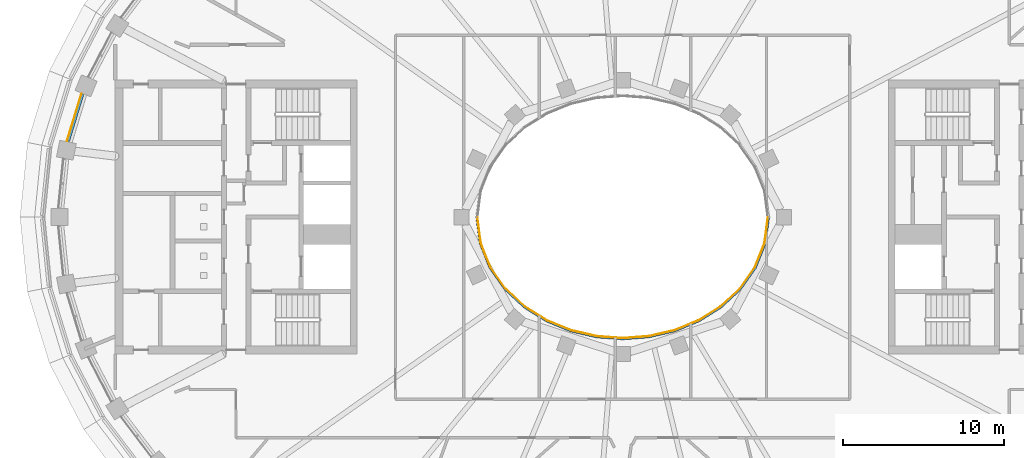
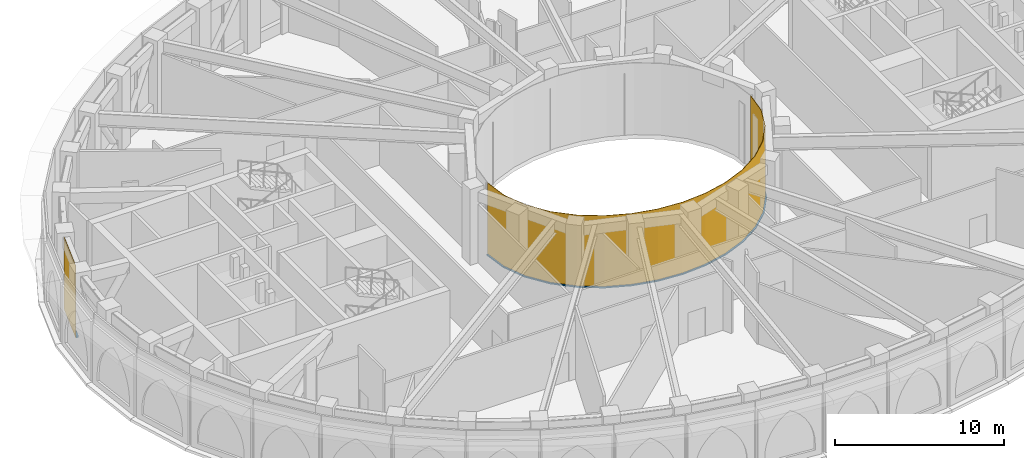
# One storey, part 13 of 23: 2 curtain walls, 2 members.
"""IFC4 building model written with IfcOpenShell, lengths in metres."""

from ifc_helpers import new_model, si_unit, direction, frame, origin, place, context, subcontext, project, spatial, polyline, outline, extrude, material, layer, layer_set, type_object, element, aggregate, save


model = new_model("IFC4")

# Units and contexts
model_context = context("Model", 3, precision=1e-05, world=origin(), true_north=direction((0.0, 1.0)))
body_context = subcontext(model_context, "Body", "Model", "MODEL_VIEW")
ifc_project = project(units=[si_unit("LENGTHUNIT", "METRE"), si_unit("AREAUNIT", "SQUARE_METRE"), si_unit("VOLUMEUNIT", "CUBIC_METRE"), si_unit("PLANEANGLEUNIT", "RADIAN"), si_unit("MASSUNIT", "GRAM", prefix="KILO")], contexts=[model_context])

# Member
ifc_material_1 = material(Name="Aluminium 6063-T6 black anodised", Category="aluminium")
member_type_1 = type_object("IfcMemberType", Name="ENV-TRANSOM-B", PredefinedType="USERDEFINED", material=ifc_material_1)
site_placement = place(None, origin())
building_placement = place(site_placement, origin())
storey_placement = place(building_placement, frame((0.0, 0.0, 285.5)))
member_1_placement = place(storey_placement, origin())
member_1 = element("IfcMember", 1, at=member_1_placement, type_object=member_type_1, Name="Transom B radial 22-23", ObjectType="TRANSOM", PredefinedType="USERDEFINED", context=body_context, shape_type="SweptSolid", body=[
    extrude(outline(polyline([(-33.581787109375, 7.64794921875), (-34.475341796875, 4.722900390625), (-34.32763671875, 4.693115234375), (-33.4423828125, 7.591064453125), (-33.581787109375, 7.64794921875)])), origin(), (0.0, 0.0, 1.0), 0.1201171875),
])

ifc_material_2 = material(Name="Steel S355 fire-resisting frame", Category="steel")
member_type_2 = type_object("IfcMemberType", Name="ENV-TRANSOM-W", PredefinedType="USERDEFINED", material=ifc_material_2)
member_2_placement = place(storey_placement, origin())
member_2 = element("IfcMember", 2, at=member_2_placement, type_object=member_type_2, Name="Transom W well 17-01", ObjectType="TRANSOM", PredefinedType="USERDEFINED", context=body_context, shape_type="SweptSolid", body=[
    extrude(outline(polyline([(-9.119384765625, -0.02783203125), (-8.910400390625, -1.63623046875), (-8.29833984375, -3.167236328125), (-7.35107421875, -4.5146484375), (-6.1455078125, -5.6337890625), (-4.75341796875, -6.50634765625), (-3.233642578125, -7.127685546875), (-1.635498046875, -7.498779296875), (0.0, -7.622314453125), (1.635498046875, -7.498779296875), (3.233642578125, -7.127685546875), (4.75341796875, -6.50634765625), (6.1455078125, -5.6337890625), (7.35107421875, -4.5146484375), (8.29833984375, -3.167236328125), (8.910400390625, -1.63623046875), (9.119384765625, -0.02783203125), (9.02880859375, -0.02783203125), (8.822509765625, -1.61328125), (8.21875, -3.124267578125), (7.282958984375, -4.455078125), (6.090576171875, -5.56201171875), (4.712158203125, -6.426025390625), (3.206298828125, -7.04150390625), (1.621826171875, -7.40966796875), (0.0, -7.531982421875), (-1.621826171875, -7.40966796875), (-3.206298828125, -7.04150390625), (-4.712158203125, -6.426025390625), (-6.090576171875, -5.56201171875), (-7.282958984375, -4.455078125), (-8.21875, -3.124267578125), (-8.822509765625, -1.61328125), (-9.02880859375, -0.02783203125), (-9.119384765625, -0.02783203125)])), origin(), (0.0, 0.0, 1.0), 0.080078125),
])

# Site, building, storey
site = spatial("IfcSite", under=ifc_project, at=site_placement, CompositionType="ELEMENT")
building = spatial("IfcBuilding", under=site, at=building_placement, Name="Noorbagh Ring Tower", CompositionType="ELEMENT")
storey = spatial("IfcBuildingStorey", under=building, at=storey_placement, Name="L61", CompositionType="ELEMENT", Elevation=285.5)

# Curtain wall
ifc_material_3 = material(Name="Glass dark tinted laminated", Category="glass")
ifc_layer_1 = layer(ifc_material_3, 0.031982421875)
ifc_layer_set_1 = layer_set([ifc_layer_1], Name="Glass dark tinted laminated")
curtain_wall_type_1 = type_object("IfcCurtainWallType", Name="ENV-CW-B", PredefinedType="NOTDEFINED", material=ifc_layer_set_1)
curtain_wall_1_placement = place(storey_placement, origin())
curtain_wall_1 = element("IfcCurtainWall", 3, at=curtain_wall_1_placement, inside=storey, type_object=curtain_wall_type_1, Name="Curtain wall B R22", PredefinedType="NOTDEFINED", context=body_context, shape_type="SweptSolid", body=[
    extrude(outline(polyline([(-33.611572265625, 7.66015625), (-34.5068359375, 4.729248046875), (-34.475341796875, 4.722900390625), (-33.581787109375, 7.64794921875), (-33.611572265625, 7.66015625)])), origin(), (0.0, 0.0, 1.0), 5.199951171875),
])

aggregate(curtain_wall_1, [member_1])

ifc_material_4 = material(Name="Glass fire-resisting E60 laminated", Category="glass")
ifc_layer_2 = layer(ifc_material_4, 0.031982421875)
ifc_layer_set_2 = layer_set([ifc_layer_2], Name="Glass fire-resisting E60 laminated")
curtain_wall_type_2 = type_object("IfcCurtainWallType", Name="ENV-CW-W", PredefinedType="NOTDEFINED", material=ifc_layer_set_2)
curtain_wall_2_placement = place(storey_placement, origin())
curtain_wall_2 = element("IfcCurtainWall", 4, at=curtain_wall_2_placement, inside=storey, type_object=curtain_wall_type_2, Name="Curtain wall W W17", PredefinedType="NOTDEFINED", context=body_context, shape_type="SweptSolid", body=[
    extrude(outline(polyline([(-9.0322265625, 0.0), (-8.822509765625, -1.61328125), (-8.21875, -3.124267578125), (-7.282958984375, -4.455078125), (-6.090576171875, -5.56201171875), (-4.712158203125, -6.426025390625), (-3.206298828125, -7.04150390625), (-1.621826171875, -7.40966796875), (0.0, -7.531982421875), (1.621826171875, -7.40966796875), (3.206298828125, -7.04150390625), (4.712158203125, -6.426025390625), (6.090576171875, -5.56201171875), (7.282958984375, -4.455078125), (8.21875, -3.124267578125), (8.822509765625, -1.61328125), (9.0322265625, 0.0), (9.0, 0.0), (8.79150390625, -1.605224609375), (8.1904296875, -3.10888671875), (7.2587890625, -4.43408203125), (6.071044921875, -5.53662109375), (4.697509765625, -6.3974609375), (3.196533203125, -7.010986328125), (1.6171875, -7.3779296875), (0.0, -7.5), (-1.6171875, -7.3779296875), (-3.196533203125, -7.010986328125), (-4.697509765625, -6.3974609375), (-6.071044921875, -5.53662109375), (-7.2587890625, -4.43408203125), (-8.1904296875, -3.10888671875), (-8.79150390625, -1.605224609375), (-9.0, 0.0), (-9.0322265625, 0.0)])), origin(), (0.0, 0.0, 1.0), 5.199951171875),
])

aggregate(curtain_wall_2, [member_2])

save(model, "model.ifc")
